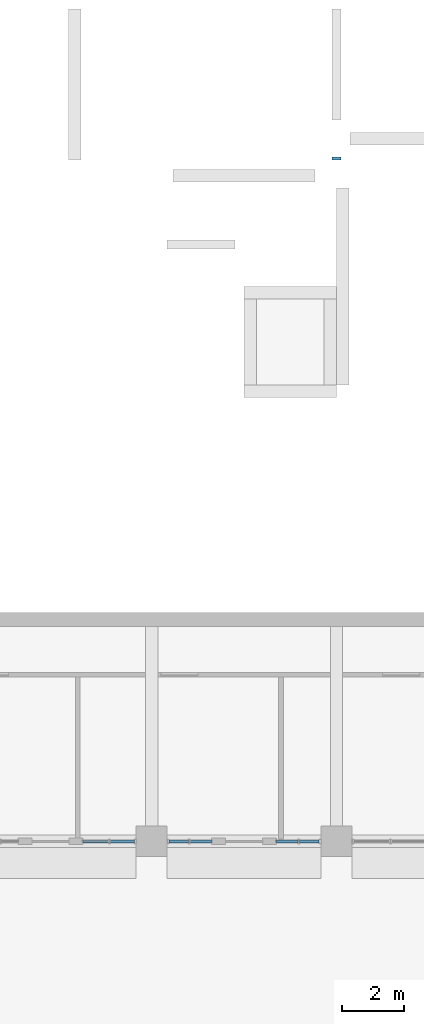
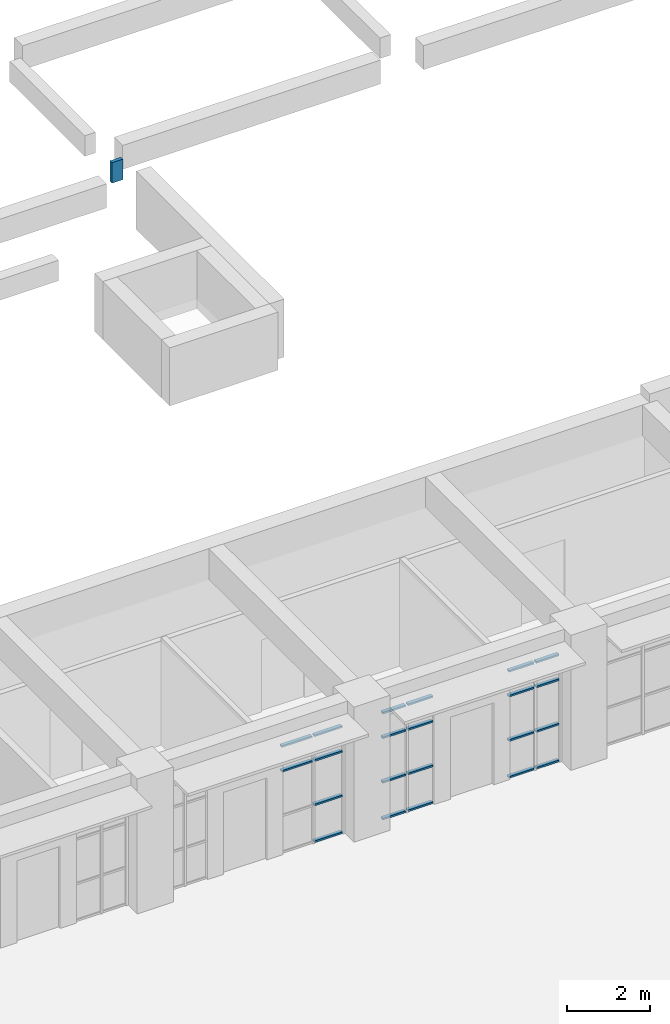
# One storey, part 45 of 103: 22 members, 1 beam, 3 elements without a shape of their own.
"""IFC4 building model written with IfcOpenShell, lengths in metres."""

from ifc_helpers import new_model, si_unit, direction, frame, origin, origin_2d, place, context, subcontext, project, spatial, rectangle, hollow_rectangle, extrude, material, material_profile, profile_set, type_object, element, aggregate, save


model = new_model("IFC4")

# Units and contexts
model_context = context("Model", 3, precision=1e-05, world=origin(), true_north=direction((0.0, 1.0)))
body_context = subcontext(model_context, "Body", "Model", "MODEL_VIEW")
ifc_project = project(units=[si_unit("LENGTHUNIT", "METRE"), si_unit("AREAUNIT", "SQUARE_METRE"), si_unit("VOLUMEUNIT", "CUBIC_METRE"), si_unit("PLANEANGLEUNIT", "RADIAN"), si_unit("MASSUNIT", "GRAM", prefix="KILO")], contexts=[model_context])

# Site, building, storey
site_placement = place(None, origin())
site = spatial("IfcSite", under=ifc_project, at=site_placement, CompositionType="ELEMENT")
building_placement = place(site_placement, origin())
building = spatial("IfcBuilding", under=site, at=building_placement, Name="Laocheng Heights Fire and Rescue Headquarters", CompositionType="ELEMENT")
storey_placement = place(building_placement, frame((0.0, 0.0, 4.199951171875)))
storey = spatial("IfcBuildingStorey", under=building, at=storey_placement, Name="L01", CompositionType="ELEMENT", Elevation=4.199951171875)

# Curtain wall, members
ifc_material_1 = material(Name="Dark anodised aluminium unitised curtain wall, low-e double glazing", Category="aluminium")
curtain_wall_type_1 = type_object("IfcCurtainWallType", Name="CW 1730 x 3150 HQ SOUTH RIBBON", PredefinedType="NOTDEFINED", material=ifc_material_1)
curtain_wall_1_placement = place(storey_placement, origin())
curtain_wall_1 = element("IfcCurtainWall", 1, at=curtain_wall_1_placement, inside=storey, type_object=curtain_wall_type_1, Name="X7-X HQ SOUTH L01", PredefinedType="NOTDEFINED")
ifc_material_2 = material(Name="Dark anodised aluminium 6063-T5 extrusion", Category="aluminium")
ifc_material_profile_1 = material_profile(ifc_material_2, hollow_rectangle(XDim=0.10009765625, YDim=0.050048828125, WallThickness=0.0029296875, at=origin_2d()), Name="AL TRANSOM 100x50x3 HQ SOUTH RIBBON")
ifc_profile_set_1 = profile_set([ifc_material_profile_1], Name="Dark anodised aluminium 6063-T5 extrusion")
member_type = type_object("IfcMemberType", Name="AL TRANSOM 100x50x3 HQ SOUTH RIBBON", PredefinedType="USERDEFINED", material=ifc_profile_set_1)
member_1_placement = place(storey_placement, frame((69.77001953125, 50.39990234375, 2.400146484375), z_axis=(1.0, 0.0, 0.0), x_axis=(0.0, 1.0, 0.0)))
member_1 = element("IfcMember", 2, at=member_1_placement, type_object=member_type, Name="X7-X transom 1.3", ObjectType="TRANSOM", PredefinedType="USERDEFINED", context=body_context, shape_type="SweptSolid", body=[
    extrude(hollow_rectangle(XDim=0.10009765625, YDim=0.050048828125, WallThickness=0.0029296875, at=origin_2d()), origin(), (0.0, 0.0, 1.0), 0.8349609375),
])
member_2_placement = place(storey_placement, frame((69.77001953125, 50.39990234375, 3.125), z_axis=(1.0, 0.0, 0.0), x_axis=(0.0, 1.0, 0.0)))
member_2 = element("IfcMember", 3, at=member_2_placement, type_object=member_type, Name="X7-X transom 1.4", ObjectType="TRANSOM", PredefinedType="USERDEFINED", context=body_context, shape_type="SweptSolid", body=[
    extrude(hollow_rectangle(XDim=0.10009765625, YDim=0.050048828125, WallThickness=0.0029296875, at=origin_2d()), origin(), (0.0, 0.0, 1.0), 0.8349609375),
])
member_3_placement = place(storey_placement, frame((70.6650390625, 50.39990234375, 0.025146484375), z_axis=(1.0, 0.0, 0.0), x_axis=(0.0, 1.0, 0.0)))
member_3 = element("IfcMember", 4, at=member_3_placement, type_object=member_type, Name="X7-X transom 2.1", ObjectType="TRANSOM", PredefinedType="USERDEFINED", context=body_context, shape_type="SweptSolid", body=[
    extrude(hollow_rectangle(XDim=0.10009765625, YDim=0.050048828125, WallThickness=0.0029296875, at=origin_2d()), origin(), (0.0, 0.0, 1.0), 0.77490234375),
])
member_4_placement = place(storey_placement, frame((70.6650390625, 50.39990234375, 1.10009765625), z_axis=(1.0, 0.0, 0.0), x_axis=(0.0, 1.0, 0.0)))
member_4 = element("IfcMember", 5, at=member_4_placement, type_object=member_type, Name="X7-X transom 2.2", ObjectType="TRANSOM", PredefinedType="USERDEFINED", context=body_context, shape_type="SweptSolid", body=[
    extrude(hollow_rectangle(XDim=0.10009765625, YDim=0.050048828125, WallThickness=0.0029296875, at=origin_2d()), origin(), (0.0, 0.0, 1.0), 0.77490234375),
])
member_5_placement = place(storey_placement, frame((70.6650390625, 50.39990234375, 2.400146484375), z_axis=(1.0, 0.0, 0.0), x_axis=(0.0, 1.0, 0.0)))
member_5 = element("IfcMember", 6, at=member_5_placement, type_object=member_type, Name="X7-X transom 2.3", ObjectType="TRANSOM", PredefinedType="USERDEFINED", context=body_context, shape_type="SweptSolid", body=[
    extrude(hollow_rectangle(XDim=0.10009765625, YDim=0.050048828125, WallThickness=0.0029296875, at=origin_2d()), origin(), (0.0, 0.0, 1.0), 0.77490234375),
])
member_6_placement = place(storey_placement, frame((70.6650390625, 50.39990234375, 3.125), z_axis=(1.0, 0.0, 0.0), x_axis=(0.0, 1.0, 0.0)))
member_6 = element("IfcMember", 7, at=member_6_placement, type_object=member_type, Name="X7-X transom 2.4", ObjectType="TRANSOM", PredefinedType="USERDEFINED", context=body_context, shape_type="SweptSolid", body=[
    extrude(hollow_rectangle(XDim=0.10009765625, YDim=0.050048828125, WallThickness=0.0029296875, at=origin_2d()), origin(), (0.0, 0.0, 1.0), 0.77490234375),
])
aggregate(curtain_wall_1, [member_1, member_2, member_3, member_4, member_5, member_6])

ifc_material_3 = material(Name="Dark anodised aluminium unitised curtain wall, low-e double glazing", Category="aluminium")
curtain_wall_type_2 = type_object("IfcCurtainWallType", Name="CW 1450 x 3150 HQ SOUTH RIBBON", PredefinedType="NOTDEFINED", material=ifc_material_3)
curtain_wall_2_placement = place(storey_placement, origin())
curtain_wall_2 = element("IfcCurtainWall", 8, at=curtain_wall_2_placement, inside=storey, type_object=curtain_wall_type_2, Name="X5-X HQ SOUTH L01", PredefinedType="NOTDEFINED")
member_7_placement = place(storey_placement, frame((72.56005859375, 50.39990234375, 0.025146484375), z_axis=(1.0, 0.0, 0.0), x_axis=(0.0, 1.0, 0.0)))
member_7 = element("IfcMember", 9, at=member_7_placement, type_object=member_type, Name="X5-X transom 1.1", ObjectType="TRANSOM", PredefinedType="USERDEFINED", context=body_context, shape_type="SweptSolid", body=[
    extrude(hollow_rectangle(XDim=0.10009765625, YDim=0.050048828125, WallThickness=0.0029296875, at=origin_2d()), origin(), (0.0, 0.0, 1.0), 0.635009765625),
])
member_8_placement = place(storey_placement, frame((72.56005859375, 50.39990234375, 1.10009765625), z_axis=(1.0, 0.0, 0.0), x_axis=(0.0, 1.0, 0.0)))
member_8 = element("IfcMember", 10, at=member_8_placement, type_object=member_type, Name="X5-X transom 1.2", ObjectType="TRANSOM", PredefinedType="USERDEFINED", context=body_context, shape_type="SweptSolid", body=[
    extrude(hollow_rectangle(XDim=0.10009765625, YDim=0.050048828125, WallThickness=0.0029296875, at=origin_2d()), origin(), (0.0, 0.0, 1.0), 0.635009765625),
])
member_9_placement = place(storey_placement, frame((72.56005859375, 50.39990234375, 2.400146484375), z_axis=(1.0, 0.0, 0.0), x_axis=(0.0, 1.0, 0.0)))
member_9 = element("IfcMember", 11, at=member_9_placement, type_object=member_type, Name="X5-X transom 1.3", ObjectType="TRANSOM", PredefinedType="USERDEFINED", context=body_context, shape_type="SweptSolid", body=[
    extrude(hollow_rectangle(XDim=0.10009765625, YDim=0.050048828125, WallThickness=0.0029296875, at=origin_2d()), origin(), (0.0, 0.0, 1.0), 0.635009765625),
])
member_10_placement = place(storey_placement, frame((72.56005859375, 50.39990234375, 3.125), z_axis=(1.0, 0.0, 0.0), x_axis=(0.0, 1.0, 0.0)))
member_10 = element("IfcMember", 12, at=member_10_placement, type_object=member_type, Name="X5-X transom 1.4", ObjectType="TRANSOM", PredefinedType="USERDEFINED", context=body_context, shape_type="SweptSolid", body=[
    extrude(hollow_rectangle(XDim=0.10009765625, YDim=0.050048828125, WallThickness=0.0029296875, at=origin_2d()), origin(), (0.0, 0.0, 1.0), 0.635009765625),
])
member_11_placement = place(storey_placement, frame((73.2548828125, 50.39990234375, 0.025146484375), z_axis=(1.0, 0.0, 0.0), x_axis=(0.0, 1.0, 0.0)))
member_11 = element("IfcMember", 13, at=member_11_placement, type_object=member_type, Name="X5-X transom 2.1", ObjectType="TRANSOM", PredefinedType="USERDEFINED", context=body_context, shape_type="SweptSolid", body=[
    extrude(hollow_rectangle(XDim=0.10009765625, YDim=0.050048828125, WallThickness=0.0029296875, at=origin_2d()), origin(), (0.0, 0.0, 1.0), 0.695068359375),
])
member_12_placement = place(storey_placement, frame((73.2548828125, 50.39990234375, 1.10009765625), z_axis=(1.0, 0.0, 0.0), x_axis=(0.0, 1.0, 0.0)))
member_12 = element("IfcMember", 14, at=member_12_placement, type_object=member_type, Name="X5-X transom 2.2", ObjectType="TRANSOM", PredefinedType="USERDEFINED", context=body_context, shape_type="SweptSolid", body=[
    extrude(hollow_rectangle(XDim=0.10009765625, YDim=0.050048828125, WallThickness=0.0029296875, at=origin_2d()), origin(), (0.0, 0.0, 1.0), 0.695068359375),
])
member_13_placement = place(storey_placement, frame((73.2548828125, 50.39990234375, 2.400146484375), z_axis=(1.0, 0.0, 0.0), x_axis=(0.0, 1.0, 0.0)))
member_13 = element("IfcMember", 15, at=member_13_placement, type_object=member_type, Name="X5-X transom 2.3", ObjectType="TRANSOM", PredefinedType="USERDEFINED", context=body_context, shape_type="SweptSolid", body=[
    extrude(hollow_rectangle(XDim=0.10009765625, YDim=0.050048828125, WallThickness=0.0029296875, at=origin_2d()), origin(), (0.0, 0.0, 1.0), 0.695068359375),
])
member_14_placement = place(storey_placement, frame((73.2548828125, 50.39990234375, 3.125), z_axis=(1.0, 0.0, 0.0), x_axis=(0.0, 1.0, 0.0)))
member_14 = element("IfcMember", 16, at=member_14_placement, type_object=member_type, Name="X5-X transom 2.4", ObjectType="TRANSOM", PredefinedType="USERDEFINED", context=body_context, shape_type="SweptSolid", body=[
    extrude(hollow_rectangle(XDim=0.10009765625, YDim=0.050048828125, WallThickness=0.0029296875, at=origin_2d()), origin(), (0.0, 0.0, 1.0), 0.695068359375),
])
aggregate(curtain_wall_2, [member_7, member_8, member_9, member_10, member_11, member_12, member_13, member_14])

curtain_wall_3_placement = place(storey_placement, origin())
curtain_wall_3 = element("IfcCurtainWall", 17, at=curtain_wall_3_placement, inside=storey, type_object=curtain_wall_type_2, Name="X5-X HQ SOUTH L01", PredefinedType="NOTDEFINED")
member_15_placement = place(storey_placement, frame((76.050048828125, 50.39990234375, 0.025146484375), z_axis=(1.0, 0.0, 0.0), x_axis=(0.0, 1.0, 0.0)))
member_15 = element("IfcMember", 18, at=member_15_placement, type_object=member_type, Name="X5-X transom 1.1", ObjectType="TRANSOM", PredefinedType="USERDEFINED", context=body_context, shape_type="SweptSolid", body=[
    extrude(hollow_rectangle(XDim=0.10009765625, YDim=0.050048828125, WallThickness=0.0029296875, at=origin_2d()), origin(), (0.0, 0.0, 1.0), 0.695068359375),
])
member_16_placement = place(storey_placement, frame((76.050048828125, 50.39990234375, 1.10009765625), z_axis=(1.0, 0.0, 0.0), x_axis=(0.0, 1.0, 0.0)))
member_16 = element("IfcMember", 19, at=member_16_placement, type_object=member_type, Name="X5-X transom 1.2", ObjectType="TRANSOM", PredefinedType="USERDEFINED", context=body_context, shape_type="SweptSolid", body=[
    extrude(hollow_rectangle(XDim=0.10009765625, YDim=0.050048828125, WallThickness=0.0029296875, at=origin_2d()), origin(), (0.0, 0.0, 1.0), 0.695068359375),
])
member_17_placement = place(storey_placement, frame((76.050048828125, 50.39990234375, 2.400146484375), z_axis=(1.0, 0.0, 0.0), x_axis=(0.0, 1.0, 0.0)))
member_17 = element("IfcMember", 20, at=member_17_placement, type_object=member_type, Name="X5-X transom 1.3", ObjectType="TRANSOM", PredefinedType="USERDEFINED", context=body_context, shape_type="SweptSolid", body=[
    extrude(hollow_rectangle(XDim=0.10009765625, YDim=0.050048828125, WallThickness=0.0029296875, at=origin_2d()), origin(), (0.0, 0.0, 1.0), 0.695068359375),
])
member_18_placement = place(storey_placement, frame((76.050048828125, 50.39990234375, 3.125), z_axis=(1.0, 0.0, 0.0), x_axis=(0.0, 1.0, 0.0)))
member_18 = element("IfcMember", 21, at=member_18_placement, type_object=member_type, Name="X5-X transom 1.4", ObjectType="TRANSOM", PredefinedType="USERDEFINED", context=body_context, shape_type="SweptSolid", body=[
    extrude(hollow_rectangle(XDim=0.10009765625, YDim=0.050048828125, WallThickness=0.0029296875, at=origin_2d()), origin(), (0.0, 0.0, 1.0), 0.695068359375),
])
member_19_placement = place(storey_placement, frame((76.804931640625, 50.39990234375, 0.025146484375), z_axis=(1.0, 0.0, 0.0), x_axis=(0.0, 1.0, 0.0)))
member_19 = element("IfcMember", 22, at=member_19_placement, type_object=member_type, Name="X5-X transom 2.1", ObjectType="TRANSOM", PredefinedType="USERDEFINED", context=body_context, shape_type="SweptSolid", body=[
    extrude(hollow_rectangle(XDim=0.10009765625, YDim=0.050048828125, WallThickness=0.0029296875, at=origin_2d()), origin(), (0.0, 0.0, 1.0), 0.635009765625),
])
member_20_placement = place(storey_placement, frame((76.804931640625, 50.39990234375, 1.10009765625), z_axis=(1.0, 0.0, 0.0), x_axis=(0.0, 1.0, 0.0)))
member_20 = element("IfcMember", 23, at=member_20_placement, type_object=member_type, Name="X5-X transom 2.2", ObjectType="TRANSOM", PredefinedType="USERDEFINED", context=body_context, shape_type="SweptSolid", body=[
    extrude(hollow_rectangle(XDim=0.10009765625, YDim=0.050048828125, WallThickness=0.0029296875, at=origin_2d()), origin(), (0.0, 0.0, 1.0), 0.635009765625),
])
member_21_placement = place(storey_placement, frame((76.804931640625, 50.39990234375, 2.400146484375), z_axis=(1.0, 0.0, 0.0), x_axis=(0.0, 1.0, 0.0)))
member_21 = element("IfcMember", 24, at=member_21_placement, type_object=member_type, Name="X5-X transom 2.3", ObjectType="TRANSOM", PredefinedType="USERDEFINED", context=body_context, shape_type="SweptSolid", body=[
    extrude(hollow_rectangle(XDim=0.10009765625, YDim=0.050048828125, WallThickness=0.0029296875, at=origin_2d()), origin(), (0.0, 0.0, 1.0), 0.635009765625),
])
member_22_placement = place(storey_placement, frame((76.804931640625, 50.39990234375, 3.125), z_axis=(1.0, 0.0, 0.0), x_axis=(0.0, 1.0, 0.0)))
member_22 = element("IfcMember", 25, at=member_22_placement, type_object=member_type, Name="X5-X transom 2.4", ObjectType="TRANSOM", PredefinedType="USERDEFINED", context=body_context, shape_type="SweptSolid", body=[
    extrude(hollow_rectangle(XDim=0.10009765625, YDim=0.050048828125, WallThickness=0.0029296875, at=origin_2d()), origin(), (0.0, 0.0, 1.0), 0.635009765625),
])
aggregate(curtain_wall_3, [member_15, member_16, member_17, member_18, member_19, member_20, member_21, member_22])

# Beam
ifc_material_4 = material(Name="Concrete C40", Category="concrete")
ifc_material_profile_2 = material_profile(ifc_material_4, rectangle(XDim=0.300048828125, YDim=0.60009765625, at=origin_2d()), Name="RC GROUND BEAM 300x600")
ifc_profile_set_2 = profile_set([ifc_material_profile_2], Name="Concrete C40")
beam_type = type_object("IfcBeamType", Name="RC GROUND BEAM 300x600", PredefinedType="BEAM", material=ifc_profile_set_2)
beam_placement = place(storey_placement, frame((78.0, 72.5, 3.650146484375), z_axis=(0.0, 1.0, 0.0), x_axis=(-1.0, 0.0, 0.0)))
element("IfcBeam", 26, at=beam_placement, inside=storey, type_object=beam_type, Name="Ground beam GB185", PredefinedType="BEAM", context=body_context, shape_type="SweptSolid", body=[
    extrude(rectangle(XDim=0.300048828125, YDim=0.60009765625, at=origin_2d()), origin(), (0.0, 0.0, 1.0), 0.10009765625),
])

save(model, "model.ifc")
